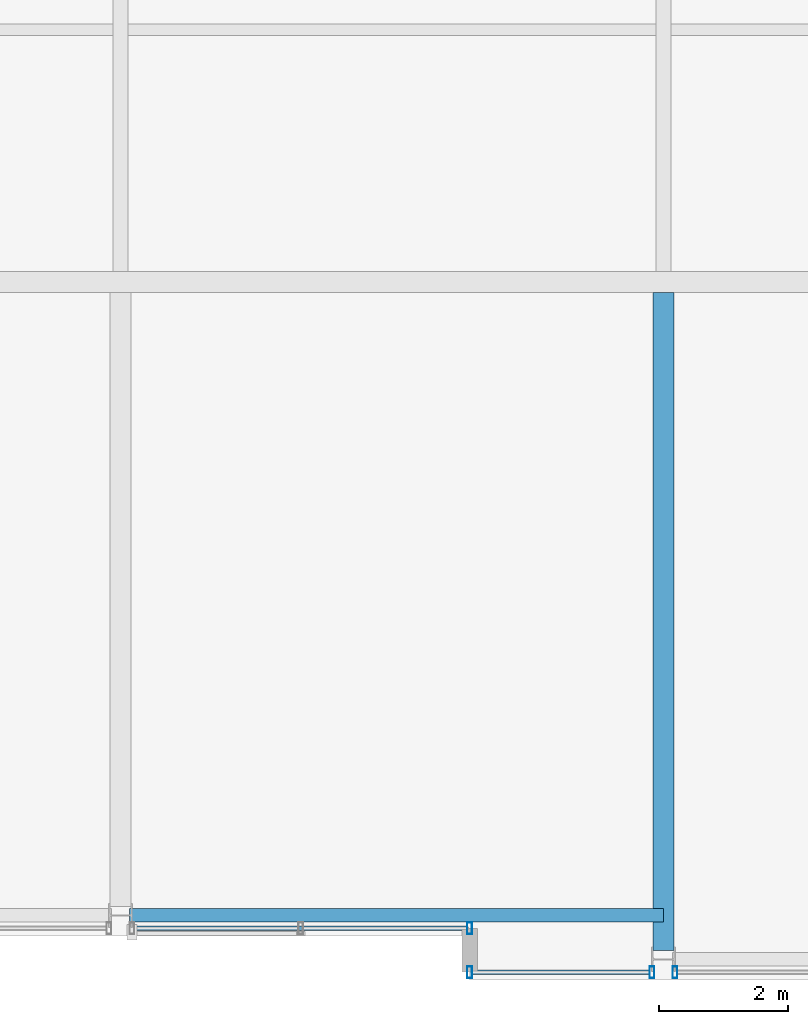
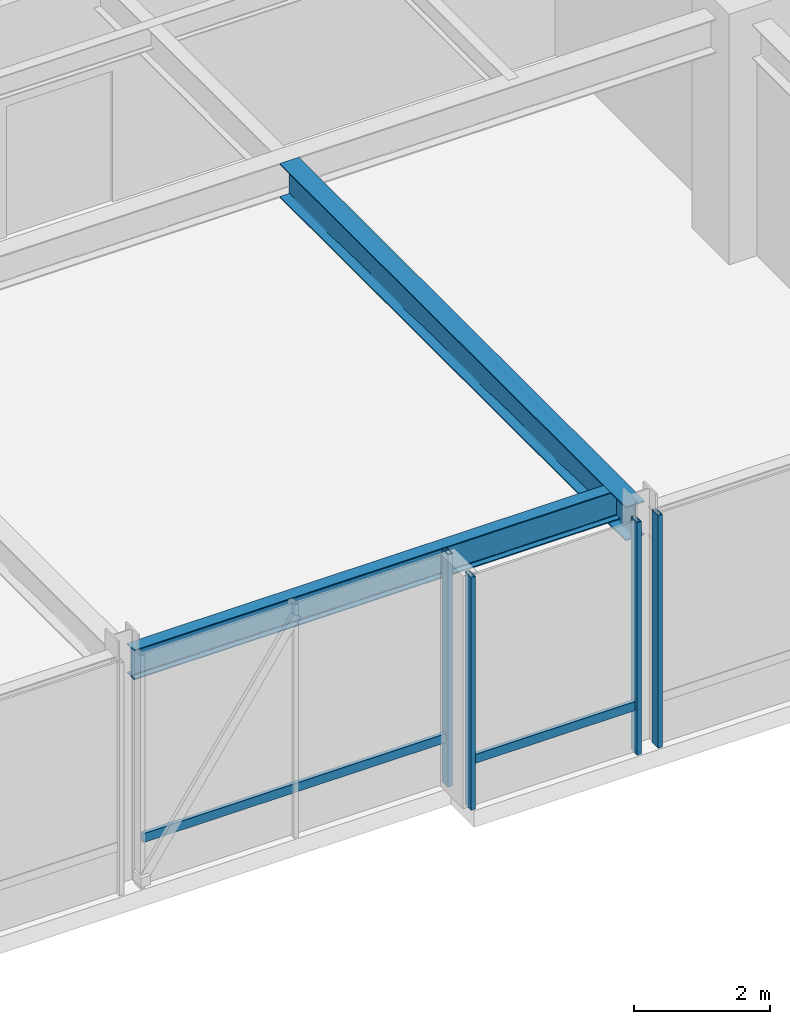
# One storey, part 7 of 32: 6 members, 2 beams, 3 elements without a shape of their own.
"""IFC4 building model written with IfcOpenShell, lengths in metres."""

from ifc_helpers import new_model, si_unit, direction, frame, origin, origin_2d, place, context, subcontext, project, spatial, hollow_rectangle, i_section, extrude, material, layer, layer_set, material_profile, profile_set, type_object, element, aggregate, save


model = new_model("IFC4")

# Units and contexts
model_context = context("Model", 3, precision=1e-05, world=origin(), true_north=direction((0.0, 1.0)))
body_context = subcontext(model_context, "Body", "Model", "MODEL_VIEW")
ifc_project = project(units=[si_unit("LENGTHUNIT", "METRE"), si_unit("AREAUNIT", "SQUARE_METRE"), si_unit("VOLUMEUNIT", "CUBIC_METRE"), si_unit("PLANEANGLEUNIT", "RADIAN"), si_unit("MASSUNIT", "GRAM", prefix="KILO")], contexts=[model_context])

# Site, building, storey
site_placement = place(None, origin())
site = spatial("IfcSite", under=ifc_project, at=site_placement, CompositionType="ELEMENT")
building_placement = place(site_placement, origin())
building = spatial("IfcBuilding", under=site, at=building_placement, Name="Drelvath Grand Hotel", CompositionType="ELEMENT")
storey_placement = place(building_placement, frame((0.0, 0.0, 255.5)))
storey = spatial("IfcBuildingStorey", under=building, at=storey_placement, Name="L67", CompositionType="ELEMENT", Elevation=255.5)

# Curtain wall, member
ifc_material_1 = material(Name="Platinum-Mist Anodised Aluminium Frame", Category="aluminium")
ifc_layer = layer(ifc_material_1, 0.199951171875)
ifc_layer_set = layer_set([ifc_layer], Name="Platinum-Mist Anodised Aluminium Frame")
curtain_wall_type = type_object("IfcCurtainWallType", Name="Stick Curtain Wall CW-05 Platinum Mist High-Rise", PredefinedType="NOTDEFINED", material=ifc_layer_set)
curtain_wall_1_placement = place(storey_placement, origin())
curtain_wall_1 = element("IfcCurtainWall", 1, at=curtain_wall_1_placement, inside=storey, type_object=curtain_wall_type, Name="L67 CW-05 Curtain Wall CW05-L67-SE1", PredefinedType="NOTDEFINED")
ifc_material_profile_1 = material_profile(ifc_material_1, hollow_rectangle(XDim=0.06494140625, YDim=0.159912109375, WallThickness=0.00390625, at=origin_2d()), Name="HSS160X65X4")
ifc_profile_set_1 = profile_set([ifc_material_profile_1], Name="Platinum-Mist Anodised Aluminium Frame")
member_type_1 = type_object("IfcMemberType", Name="Curtain Wall Horizontal Transom CW-05 HSS160X65X4", PredefinedType="USERDEFINED", material=ifc_profile_set_1)
member_1_placement = place(storey_placement, frame((8.181884765625, 0.1201171875, 0.85009765625), z_axis=(-1.0, 0.0, 0.0), x_axis=(0.0, -1.0, 0.0)))
member_1 = element("IfcMember", 2, at=member_1_placement, type_object=member_type_1, Name="CW05-L67-SE1 Sill Transom", ObjectType="TRANSOM", PredefinedType="USERDEFINED", context=body_context, shape_type="SweptSolid", body=[
    extrude(hollow_rectangle(XDim=0.06494140625, YDim=0.159912109375, WallThickness=0.00390625, at=origin_2d()), origin(), (0.0, 0.0, 1.0), 2.741943359375),
])

curtain_wall_2_placement = place(storey_placement, origin())
curtain_wall_2 = element("IfcCurtainWall", 3, at=curtain_wall_2_placement, inside=storey, type_object=curtain_wall_type, Name="L67 CW-05 Curtain Wall CW05-L67-SM2", PredefinedType="NOTDEFINED")
member_2_placement = place(storey_placement, frame((5.360107421875, 0.800048828125, 0.85009765625), z_axis=(-1.0, 0.0, 0.0), x_axis=(0.0, -1.0, 0.0)))
member_2 = element("IfcMember", 4, at=member_2_placement, type_object=member_type_1, Name="CW05-L67-SM2 Sill Transom", ObjectType="TRANSOM", PredefinedType="USERDEFINED", context=body_context, shape_type="SweptSolid", body=[
    extrude(hollow_rectangle(XDim=0.06494140625, YDim=0.159912109375, WallThickness=0.00390625, at=origin_2d()), origin(), (0.0, 0.0, 1.0), 5.141845703125),
])

# Member
ifc_material_profile_2 = material_profile(ifc_material_1, hollow_rectangle(XDim=0.074951171875, YDim=0.179931640625, WallThickness=0.0048828125, at=origin_2d()), Name="HSS180X75X5")
ifc_profile_set_2 = profile_set([ifc_material_profile_2], Name="Platinum-Mist Anodised Aluminium Frame")
member_type_2 = type_object("IfcMemberType", Name="Curtain Wall Vertical Mullion CW-05 HSS180X75X5", PredefinedType="MULLION", material=ifc_profile_set_2)
member_3_placement = place(storey_placement, frame((8.2216796875, 0.1201171875, 0.0), z_axis=(0.0, 0.0, 1.0), x_axis=(1.0, 0.0, 0.0)))
member_3 = element("IfcMember", 5, at=member_3_placement, type_object=member_type_2, Name="CW05-L67-SE1 Mullion 1", PredefinedType="MULLION", context=body_context, shape_type="SweptSolid", body=[
    extrude(hollow_rectangle(XDim=0.074951171875, YDim=0.179931640625, WallThickness=0.0048828125, at=origin_2d()), origin(), (0.0, 0.0, 1.0), 4.179931640625),
])

member_4_placement = place(storey_placement, frame((5.39990234375, 0.1201171875, 0.0), z_axis=(0.0, 0.0, 1.0), x_axis=(1.0, 0.0, 0.0)))
member_4 = element("IfcMember", 6, at=member_4_placement, type_object=member_type_2, Name="CW05-L67-SE1 Mullion 2", PredefinedType="MULLION", context=body_context, shape_type="SweptSolid", body=[
    extrude(hollow_rectangle(XDim=0.074951171875, YDim=0.179931640625, WallThickness=0.0048828125, at=origin_2d()), origin(), (0.0, 0.0, 1.0), 4.179931640625),
])

aggregate(curtain_wall_1, [member_3, member_4, member_1])

# Curtain wall, member
curtain_wall_3_placement = place(storey_placement, origin())
curtain_wall_3 = element("IfcCurtainWall", 7, at=curtain_wall_3_placement, inside=storey, type_object=curtain_wall_type, Name="L67 CW-05 Curtain Wall CW05-L67-SE2", PredefinedType="NOTDEFINED")
member_5_placement = place(storey_placement, frame((8.578125, 0.1201171875, 0.0), z_axis=(0.0, 0.0, 1.0), x_axis=(1.0, 0.0, 0.0)))
member_5 = element("IfcMember", 8, at=member_5_placement, type_object=member_type_2, Name="CW05-L67-SE2 Mullion 3", PredefinedType="MULLION", context=body_context, shape_type="SweptSolid", body=[
    extrude(hollow_rectangle(XDim=0.074951171875, YDim=0.179931640625, WallThickness=0.0048828125, at=origin_2d()), origin(), (0.0, 0.0, 1.0), 4.179931640625),
])
aggregate(curtain_wall_3, [member_5])

# Member
member_6_placement = place(storey_placement, frame((5.39990234375, 0.800048828125, 0.0), z_axis=(0.0, 0.0, 1.0), x_axis=(1.0, 0.0, 0.0)))
member_6 = element("IfcMember", 9, at=member_6_placement, type_object=member_type_2, Name="CW05-L67-SM2 Mullion 1", PredefinedType="MULLION", context=body_context, shape_type="SweptSolid", body=[
    extrude(hollow_rectangle(XDim=0.074951171875, YDim=0.179931640625, WallThickness=0.0048828125, at=origin_2d()), origin(), (0.0, 0.0, 1.0), 4.179931640625),
])

aggregate(curtain_wall_2, [member_6, member_2])

# Beams
ifc_material_2 = material(Name="Steel ASTM A992 Gr 50", Category="steel")
ifc_material_profile_3 = material_profile(ifc_material_2, i_section(OverallWidth=0.210205078125, OverallDepth=0.53662109375, WebThickness=0.010986328125, FlangeThickness=0.017333984375, FilletRadius=0.01806640625, at=origin_2d()), Name="W21X68")
ifc_profile_set_3 = profile_set([ifc_material_profile_3], Name="Steel ASTM A992 Gr 50")
beam_type_1 = type_object("IfcBeamType", Name="Perimeter Spandrel Beam W21X68", PredefinedType="SPANDREL", material=ifc_profile_set_3)
beam_1_placement = place(storey_placement, frame((0.139892578125, 1.0, 3.91162109375), z_axis=(1.0, 0.0, 0.0), x_axis=(0.0, 1.0, 0.0)))
element("IfcBeam", 10, at=beam_1_placement, inside=storey, type_object=beam_type_1, Name="L67 Spandrel South Mid E", PredefinedType="SPANDREL", context=body_context, shape_type="SweptSolid", body=[
    extrude(i_section(OverallWidth=0.210205078125, OverallDepth=0.53662109375, WebThickness=0.010986328125, FlangeThickness=0.017333984375, FilletRadius=0.01806640625, at=origin_2d()), origin(), (0.0, 0.0, 1.0), 8.260009765625),
])
ifc_material_profile_4 = material_profile(ifc_material_2, i_section(OverallWidth=0.323974609375, OverallDepth=0.611083984375, WebThickness=0.0126953125, FlangeThickness=0.01904296875, FilletRadius=0.02197265625, at=origin_2d()), Name="W24X104")
ifc_profile_set_4 = profile_set([ifc_material_profile_4], Name="Steel ASTM A992 Gr 50")
beam_type_2 = type_object("IfcBeamType", Name="Primary Floor Girder W24X104", PredefinedType="BEAM", material=ifc_profile_set_4)
beam_2_placement = place(storey_placement, frame((8.39990234375, 0.4599609375, 3.87451171875), z_axis=(0.0, 1.0, 0.0), x_axis=(-1.0, 0.0, 0.0)))
element("IfcBeam", 11, at=beam_2_placement, inside=storey, type_object=beam_type_2, Name="L67 South Wing Girder 6", PredefinedType="BEAM", context=body_context, shape_type="SweptSolid", body=[
    extrude(i_section(OverallWidth=0.323974609375, OverallDepth=0.611083984375, WebThickness=0.0126953125, FlangeThickness=0.01904296875, FilletRadius=0.02197265625, at=origin_2d()), origin(), (0.0, 0.0, 1.0), 10.177978515625),
])

save(model, "model.ifc")
